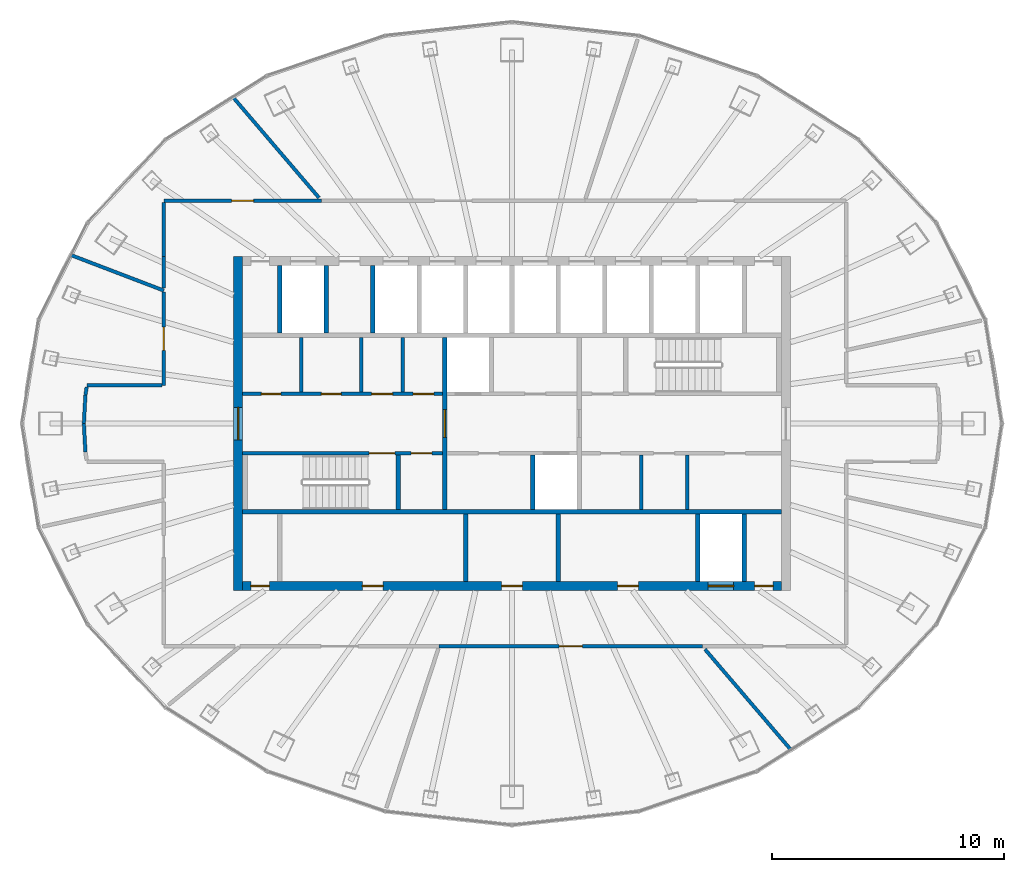
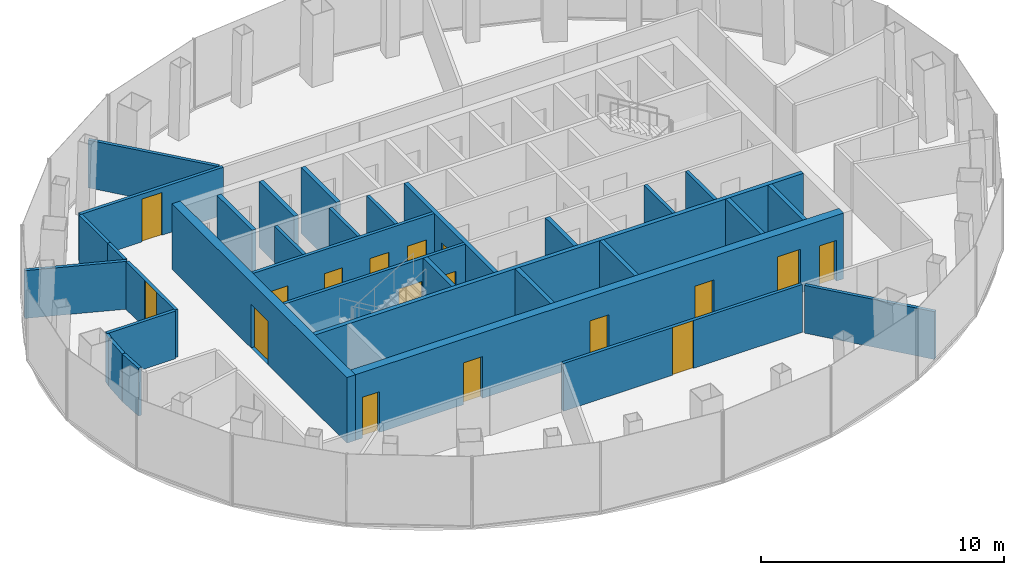
# One storey, part 8 of 11: 32 walls, 17 doors, 17 openings.
"""IFC4 building model written with IfcOpenShell, lengths in metres."""

from ifc_helpers import new_model, si_unit, direction, frame, frame_2d, origin, place, context, subcontext, project, spatial, rectangle, extrude, material, layer, layer_set, type_object, element, fill, save


model = new_model("IFC4")

# Units and contexts
model_context = context("Model", 3, precision=1e-05, world=origin(), true_north=direction((0.0, 1.0)))
body_context = subcontext(model_context, "Body", "Model", "MODEL_VIEW")
ifc_project = project(units=[si_unit("LENGTHUNIT", "METRE"), si_unit("AREAUNIT", "SQUARE_METRE"), si_unit("VOLUMEUNIT", "CUBIC_METRE"), si_unit("PLANEANGLEUNIT", "RADIAN"), si_unit("MASSUNIT", "GRAM", prefix="KILO")], contexts=[model_context])

# Site, building, storey
site_placement = place(None, origin())
site = spatial("IfcSite", under=ifc_project, at=site_placement, CompositionType="ELEMENT")
building_placement = place(site_placement, origin())
building = spatial("IfcBuilding", under=site, at=building_placement, Name="Siaravel Broadcast Tower", CompositionType="ELEMENT")
storey_placement = place(building_placement, frame((0.0, 0.0, 246.699951171875)))
storey = spatial("IfcBuildingStorey", under=building, at=storey_placement, Name="L60", CompositionType="ELEMENT", Elevation=246.699951171875)

# Walls
ifc_material_1 = material(Name="Concrete blockwork", Category="masonry")
ifc_layer_1 = layer(ifc_material_1, 0.14990234375)
ifc_layer_set_1 = layer_set([ifc_layer_1], Name="Concrete blockwork")
wall_type_1 = type_object("IfcWallType", Name="Core partition 150", PredefinedType="PARTITIONING", material=ifc_layer_set_1)
for number, where, z_axis, x_axis, name in (
    (1, (-9.080078125, 1.35009765625, 0.0), (0.0, 0.0, 1.0), (0.0, 1.0, 0.0), "L60 core partition PNW0"),
    (2, (-6.485107421875, 1.35009765625, 0.0), (0.0, 0.0, 1.0), (0.0, 1.0, 0.0), "L60 core partition PNW1"),
    (3, (-4.705078125, 1.35009765625, 0.0), (0.0, 0.0, 1.0), (0.0, 1.0, 0.0), "L60 core partition PNW2"),
    (4, (5.56494140625, -3.699951171875, 0.0), (0.0, 0.0, 1.0), (0.0, 1.0, 0.0), "L60 core partition PSE0"),
    (5, (7.541015625, -3.699951171875, 0.0), (0.0, 0.0, 1.0), (0.0, 1.0, 0.0), "L60 core partition PSE1"),
):
    element("IfcWall", number, at=place(storey_placement, frame(where, z_axis=z_axis, x_axis=x_axis)), inside=storey, type_object=wall_type_1, Name=name, PredefinedType="PARTITIONING", context=body_context, shape_type="SweptSolid", body=[
        extrude(rectangle(XDim=2.349853515625, YDim=0.14990234375, at=frame_2d((1.1748046875, 0.0))), origin(), (0.0, 0.0, 1.0), 3.300048828125),
    ])
ifc_layer_2 = layer(ifc_material_1, 0.199951171875)
ifc_layer_set_2 = layer_set([ifc_layer_2], Name="Concrete blockwork")
wall_type_2 = type_object("IfcWallType", Name="Core partition 200", PredefinedType="PARTITIONING", material=ifc_layer_set_2)
for number, where, z_axis, x_axis, name in (
    (6, (-2.0, -6.800048828125, 0.0), (0.0, 0.0, 1.0), (0.0, 1.0, 0.0), "L60 core partition PFS0"),
    (7, (2.0, -6.800048828125, 0.0), (0.0, 0.0, 1.0), (0.0, 1.0, 0.0), "L60 core partition PFS4"),
):
    element("IfcWall", number, at=place(storey_placement, frame(where, z_axis=z_axis, x_axis=x_axis)), inside=storey, type_object=wall_type_2, Name=name, PredefinedType="PARTITIONING", context=body_context, shape_type="SweptSolid", body=[
        extrude(rectangle(XDim=2.900146484375, YDim=0.199951171875, at=frame_2d((1.4501953125, 0.0))), origin(), (0.0, 0.0, 1.0), 3.300048828125),
    ])

# Wall, opening, door
ifc_material_2 = material(Name="Concrete C60/75", Category="concrete")
ifc_layer_3 = layer(ifc_material_2, 0.39990234375)
ifc_layer_set_3 = layer_set([ifc_layer_3], Name="Concrete C60/75")
wall_type_3 = type_object("IfcWallType", Name="Core wall 400", PredefinedType="SHEAR", material=ifc_layer_set_3)
wall_1_placement = place(storey_placement, frame((-11.800048828125, -7.199951171875, 0.0), z_axis=(0.0, 0.0, 1.0), x_axis=(0.0, 1.0, 0.0)))
wall_1 = element("IfcWall", 8, at=wall_1_placement, inside=storey, type_object=wall_type_3, Name="L60 core wall OW", PredefinedType="SHEAR", context=body_context, shape_type="SweptSolid", body=[
    extrude(rectangle(XDim=14.39990234375, YDim=0.39990234375, at=frame_2d((7.199951171875, 0.0))), origin(), (0.0, 0.0, 1.0), 3.300048828125),
])
opening_1_placement = place(wall_1_placement, frame((6.5, 0.0, 0.0)))
opening_1 = element("IfcOpeningElement", 9, at=opening_1_placement, cuts=wall_1, Name="Opening L60-DX-W", PredefinedType="OPENING", context=body_context, shape_type="SweptSolid", body=[
    extrude(rectangle(XDim=1.39990234375, YDim=2.199951171875, at=frame_2d((0.699951171875, 1.10009765625))), frame((0.0, 0.2099609375, 0.0), z_axis=(0.0, -1.0, 0.0), x_axis=(1.0, 0.0, 0.0)), (0.0, 0.0, 1.0), 0.419921875),
])
ifc_material_3 = material(Name="Steel", Category="steel")
door_type_1 = type_object("IfcDoorType", Name="Core exit door 1400", OperationType="DOUBLE_DOOR_SINGLE_SWING", PredefinedType="DOOR", material=ifc_material_3)
door_1_placement = place(opening_1_placement, origin())
door_1 = element("IfcDoor", 10, at=door_1_placement, inside=storey, type_object=door_type_1, Name="L60 door DX-W", OperationType="DOUBLE_DOOR_SINGLE_SWING", OverallHeight=2.199951171875, OverallWidth=1.39990234375, PredefinedType="DOOR", context=body_context, shape_type="SweptSolid", body=[
    extrude(rectangle(XDim=1.39990234375, YDim=2.199951171875, at=frame_2d((0.699951171875, 1.10009765625))), frame((0.0, 0.02490234375, 0.0), z_axis=(0.0, -1.0, 0.0), x_axis=(1.0, 0.0, 0.0)), (0.0, 0.0, 1.0), 0.050048828125),
])
fill(opening_1, door_1)

# Wall, openings, doors
wall_2_placement = place(storey_placement, frame((-11.60009765625, -7.0, 0.0), z_axis=(0.0, 0.0, 1.0), x_axis=(1.0, 0.0, 0.0)))
wall_2 = element("IfcWall", 11, at=wall_2_placement, inside=storey, type_object=wall_type_3, Name="L60 core wall OS", PredefinedType="SHEAR", context=body_context, shape_type="SweptSolid", body=[
    extrude(rectangle(XDim=23.2001953125, YDim=0.39990234375, at=frame_2d((11.60009765625, 0.0))), origin(), (0.0, 0.0, 1.0), 3.300048828125),
])
opening_2_placement = place(wall_2_placement, frame((20.050048828125, 0.0, 0.0)))
opening_2 = element("IfcOpeningElement", 12, at=opening_2_placement, cuts=wall_2, Name="Opening LD-SV1-L60", PredefinedType="OPENING", context=body_context, shape_type="SweptSolid", body=[
    extrude(rectangle(XDim=1.10009765625, YDim=2.199951171875, at=frame_2d((0.550048828125, 1.10009765625))), frame((0.0, 0.2099609375, 0.0), z_axis=(0.0, -1.0, 0.0), x_axis=(1.0, 0.0, 0.0)), (0.0, 0.0, 1.0), 0.419921875),
])
opening_3_placement = place(wall_2_placement, frame((5.14990234375, 0.0, 0.0)))
opening_3 = element("IfcOpeningElement", 13, at=opening_3_placement, cuts=wall_2, Name="Opening L60-DFS0", PredefinedType="OPENING", context=body_context, shape_type="SweptSolid", body=[
    extrude(rectangle(XDim=0.89990234375, YDim=2.10009765625, at=frame_2d((0.449951171875, 1.050048828125))), frame((0.0, 0.2099609375, 0.0), z_axis=(0.0, -1.0, 0.0), x_axis=(1.0, 0.0, 0.0)), (0.0, 0.0, 1.0), 0.419921875),
])
opening_4_placement = place(wall_2_placement, frame((11.14990234375, 0.0, 0.0)))
opening_4 = element("IfcOpeningElement", 14, at=opening_4_placement, cuts=wall_2, Name="Opening L60-DFS4", PredefinedType="OPENING", context=body_context, shape_type="SweptSolid", body=[
    extrude(rectangle(XDim=0.89990234375, YDim=2.10009765625, at=frame_2d((0.449951171875, 1.050048828125))), frame((0.0, 0.2099609375, 0.0), z_axis=(0.0, -1.0, 0.0), x_axis=(1.0, 0.0, 0.0)), (0.0, 0.0, 1.0), 0.419921875),
])
opening_5_placement = place(wall_2_placement, frame((16.14990234375, 0.0, 0.0)))
opening_5 = element("IfcOpeningElement", 15, at=opening_5_placement, cuts=wall_2, Name="Opening L60-DFS6", PredefinedType="OPENING", context=body_context, shape_type="SweptSolid", body=[
    extrude(rectangle(XDim=0.89990234375, YDim=2.10009765625, at=frame_2d((0.449951171875, 1.050048828125))), frame((0.0, 0.2099609375, 0.0), z_axis=(0.0, -1.0, 0.0), x_axis=(1.0, 0.0, 0.0)), (0.0, 0.0, 1.0), 0.419921875),
])
opening_6_placement = place(wall_2_placement, frame((0.35009765625, 0.0, 0.0)))
opening_6 = element("IfcOpeningElement", 16, at=opening_6_placement, cuts=wall_2, Name="Opening L60-DRSW", PredefinedType="OPENING", context=body_context, shape_type="SweptSolid", body=[
    extrude(rectangle(XDim=0.800048828125, YDim=2.050048828125, at=frame_2d((0.39990234375, 1.02490234375))), frame((0.0, 0.2099609375, 0.0), z_axis=(0.0, -1.0, 0.0), x_axis=(1.0, 0.0, 0.0)), (0.0, 0.0, 1.0), 0.419921875),
])
opening_7_placement = place(wall_2_placement, frame((22.050048828125, 0.0, 0.0)))
opening_7 = element("IfcOpeningElement", 17, at=opening_7_placement, cuts=wall_2, Name="Opening L60-DRSE", PredefinedType="OPENING", context=body_context, shape_type="SweptSolid", body=[
    extrude(rectangle(XDim=0.800048828125, YDim=2.050048828125, at=frame_2d((0.39990234375, 1.02490234375))), frame((0.0, 0.2099609375, 0.0), z_axis=(0.0, -1.0, 0.0), x_axis=(1.0, 0.0, 0.0)), (0.0, 0.0, 1.0), 0.419921875),
])
ifc_material_4 = material(Name="Timber veneer", Category="wood")
door_type_2 = type_object("IfcDoorType", Name="Core room door 900", OperationType="SINGLE_SWING_LEFT", PredefinedType="DOOR", material=ifc_material_4)
door_2_placement = place(opening_3_placement, origin())
door_2 = element("IfcDoor", 18, at=door_2_placement, inside=storey, type_object=door_type_2, Name="L60 door DFS0", OperationType="SINGLE_SWING_LEFT", OverallHeight=2.10009765625, OverallWidth=0.89990234375, PredefinedType="DOOR", context=body_context, shape_type="SweptSolid", body=[
    extrude(rectangle(XDim=0.89990234375, YDim=2.10009765625, at=frame_2d((0.449951171875, 1.050048828125))), frame((0.0, 0.02490234375, 0.0), z_axis=(0.0, -1.0, 0.0), x_axis=(1.0, 0.0, 0.0)), (0.0, 0.0, 1.0), 0.050048828125),
])
fill(opening_3, door_2)
door_3_placement = place(opening_4_placement, origin())
door_3 = element("IfcDoor", 19, at=door_3_placement, inside=storey, type_object=door_type_2, Name="L60 door DFS4", OperationType="SINGLE_SWING_LEFT", OverallHeight=2.10009765625, OverallWidth=0.89990234375, PredefinedType="DOOR", context=body_context, shape_type="SweptSolid", body=[
    extrude(rectangle(XDim=0.89990234375, YDim=2.10009765625, at=frame_2d((0.449951171875, 1.050048828125))), frame((0.0, 0.02490234375, 0.0), z_axis=(0.0, -1.0, 0.0), x_axis=(1.0, 0.0, 0.0)), (0.0, 0.0, 1.0), 0.050048828125),
])
fill(opening_4, door_3)
door_4_placement = place(opening_5_placement, origin())
door_4 = element("IfcDoor", 20, at=door_4_placement, inside=storey, type_object=door_type_2, Name="L60 door DFS6", OperationType="SINGLE_SWING_LEFT", OverallHeight=2.10009765625, OverallWidth=0.89990234375, PredefinedType="DOOR", context=body_context, shape_type="SweptSolid", body=[
    extrude(rectangle(XDim=0.89990234375, YDim=2.10009765625, at=frame_2d((0.449951171875, 1.050048828125))), frame((0.0, 0.02490234375, 0.0), z_axis=(0.0, -1.0, 0.0), x_axis=(1.0, 0.0, 0.0)), (0.0, 0.0, 1.0), 0.050048828125),
])
fill(opening_5, door_4)
door_type_3 = type_object("IfcDoorType", Name="Riser door 800", OperationType="SINGLE_SWING_LEFT", PredefinedType="DOOR", material=ifc_material_3)
door_5_placement = place(opening_6_placement, origin())
door_5 = element("IfcDoor", 21, at=door_5_placement, inside=storey, type_object=door_type_3, Name="L60 door DRSW", OperationType="SINGLE_SWING_LEFT", OverallHeight=2.050048828125, OverallWidth=0.800048828125, PredefinedType="DOOR", context=body_context, shape_type="SweptSolid", body=[
    extrude(rectangle(XDim=0.800048828125, YDim=2.050048828125, at=frame_2d((0.39990234375, 1.02490234375))), frame((0.0, 0.02490234375, 0.0), z_axis=(0.0, -1.0, 0.0), x_axis=(1.0, 0.0, 0.0)), (0.0, 0.0, 1.0), 0.050048828125),
])
fill(opening_6, door_5)
door_6_placement = place(opening_7_placement, origin())
door_6 = element("IfcDoor", 22, at=door_6_placement, inside=storey, type_object=door_type_3, Name="L60 door DRSE", OperationType="SINGLE_SWING_LEFT", OverallHeight=2.050048828125, OverallWidth=0.800048828125, PredefinedType="DOOR", context=body_context, shape_type="SweptSolid", body=[
    extrude(rectangle(XDim=0.800048828125, YDim=2.050048828125, at=frame_2d((0.39990234375, 1.02490234375))), frame((0.0, 0.02490234375, 0.0), z_axis=(0.0, -1.0, 0.0), x_axis=(1.0, 0.0, 0.0)), (0.0, 0.0, 1.0), 0.050048828125),
])
fill(opening_7, door_6)
ifc_material_5 = material(Name="Stainless steel 316L", Category="steel")
door_type_4 = type_object("IfcDoorType", Name="Service lift landing door 1100", OperationType="DOUBLE_DOOR_SLIDING", PredefinedType="DOOR", material=ifc_material_5)
door_7_placement = place(opening_2_placement, origin())
door_7 = element("IfcDoor", 23, at=door_7_placement, inside=storey, type_object=door_type_4, Name="Landing door SV1 L60", OperationType="DOUBLE_DOOR_SLIDING", OverallHeight=2.199951171875, OverallWidth=1.10009765625, PredefinedType="DOOR", context=body_context, shape_type="SweptSolid", body=[
    extrude(rectangle(XDim=1.10009765625, YDim=2.199951171875, at=frame_2d((0.550048828125, 1.10009765625))), frame((0.0, 0.02490234375, 0.0), z_axis=(0.0, -1.0, 0.0), x_axis=(1.0, 0.0, 0.0)), (0.0, 0.0, 1.0), 0.050048828125),
])
fill(opening_2, door_7)

ifc_material_6 = material(Name="Gypsum board partition", Category="gypsum")
ifc_layer_4 = layer(ifc_material_6, 0.14990234375)
ifc_layer_set_4 = layer_set([ifc_layer_4], Name="Gypsum board partition")
wall_type_4 = type_object("IfcWallType", Name="Corridor wall 150", PredefinedType="PARTITIONING", material=ifc_layer_set_4)
wall_3_placement = place(storey_placement, frame((-11.60009765625, 1.27490234375, 0.0), z_axis=(0.0, 0.0, 1.0), x_axis=(1.0, 0.0, 0.0)))
wall_3 = element("IfcWall", 24, at=wall_3_placement, inside=storey, type_object=wall_type_4, Name="L60 core partition CNW", PredefinedType="PARTITIONING", context=body_context, shape_type="SweptSolid", body=[
    extrude(rectangle(XDim=8.60009765625, YDim=0.14990234375, at=frame_2d((4.300048828125, 0.0))), origin(), (0.0, 0.0, 1.0), 3.300048828125),
])
opening_8_placement = place(wall_3_placement, frame((0.797607421875, 0.0, 0.0)))
opening_8 = element("IfcOpeningElement", 25, at=opening_8_placement, cuts=wall_3, Name="Opening L60-DNW0", PredefinedType="OPENING", context=body_context, shape_type="SweptSolid", body=[
    extrude(rectangle(XDim=0.85009765625, YDim=2.10009765625, at=frame_2d((0.425048828125, 1.050048828125))), frame((0.0, 0.0849609375, 0.0), z_axis=(0.0, -1.0, 0.0), x_axis=(1.0, 0.0, 0.0)), (0.0, 0.0, 1.0), 0.169921875),
])
opening_9_placement = place(wall_3_placement, frame((3.392578125, 0.0, 0.0)))
opening_9 = element("IfcOpeningElement", 26, at=opening_9_placement, cuts=wall_3, Name="Opening L60-DNW1", PredefinedType="OPENING", context=body_context, shape_type="SweptSolid", body=[
    extrude(rectangle(XDim=0.85009765625, YDim=2.10009765625, at=frame_2d((0.425048828125, 1.050048828125))), frame((0.0, 0.0849609375, 0.0), z_axis=(0.0, -1.0, 0.0), x_axis=(1.0, 0.0, 0.0)), (0.0, 0.0, 1.0), 0.169921875),
])
opening_10_placement = place(wall_3_placement, frame((5.554931640625, 0.0, 0.0)))
opening_10 = element("IfcOpeningElement", 27, at=opening_10_placement, cuts=wall_3, Name="Opening L60-DNW2", PredefinedType="OPENING", context=body_context, shape_type="SweptSolid", body=[
    extrude(rectangle(XDim=0.89990234375, YDim=2.10009765625, at=frame_2d((0.449951171875, 1.050048828125))), frame((0.0, 0.0849609375, 0.0), z_axis=(0.0, -1.0, 0.0), x_axis=(1.0, 0.0, 0.0)), (0.0, 0.0, 1.0), 0.169921875),
])
opening_11_placement = place(wall_3_placement, frame((7.3349609375, 0.0, 0.0)))
opening_11 = element("IfcOpeningElement", 28, at=opening_11_placement, cuts=wall_3, Name="Opening L60-DNW3", PredefinedType="OPENING", context=body_context, shape_type="SweptSolid", body=[
    extrude(rectangle(XDim=0.89990234375, YDim=2.10009765625, at=frame_2d((0.449951171875, 1.050048828125))), frame((0.0, 0.0849609375, 0.0), z_axis=(0.0, -1.0, 0.0), x_axis=(1.0, 0.0, 0.0)), (0.0, 0.0, 1.0), 0.169921875),
])
door_8_placement = place(opening_10_placement, origin())
door_8 = element("IfcDoor", 29, at=door_8_placement, inside=storey, type_object=door_type_2, Name="L60 door DNW2", OperationType="SINGLE_SWING_LEFT", OverallHeight=2.10009765625, OverallWidth=0.89990234375, PredefinedType="DOOR", context=body_context, shape_type="SweptSolid", body=[
    extrude(rectangle(XDim=0.89990234375, YDim=2.10009765625, at=frame_2d((0.449951171875, 1.050048828125))), frame((0.0, 0.02490234375, 0.0), z_axis=(0.0, -1.0, 0.0), x_axis=(1.0, 0.0, 0.0)), (0.0, 0.0, 1.0), 0.050048828125),
])
fill(opening_10, door_8)
door_9_placement = place(opening_11_placement, origin())
door_9 = element("IfcDoor", 30, at=door_9_placement, inside=storey, type_object=door_type_2, Name="L60 door DNW3", OperationType="SINGLE_SWING_LEFT", OverallHeight=2.10009765625, OverallWidth=0.89990234375, PredefinedType="DOOR", context=body_context, shape_type="SweptSolid", body=[
    extrude(rectangle(XDim=0.89990234375, YDim=2.10009765625, at=frame_2d((0.449951171875, 1.050048828125))), frame((0.0, 0.02490234375, 0.0), z_axis=(0.0, -1.0, 0.0), x_axis=(1.0, 0.0, 0.0)), (0.0, 0.0, 1.0), 0.050048828125),
])
fill(opening_11, door_9)
door_type_5 = type_object("IfcDoorType", Name="Core toilet door 850", OperationType="SINGLE_SWING_LEFT", PredefinedType="DOOR", material=ifc_material_4)
door_10_placement = place(opening_8_placement, origin())
door_10 = element("IfcDoor", 31, at=door_10_placement, inside=storey, type_object=door_type_5, Name="L60 door DNW0", OperationType="SINGLE_SWING_LEFT", OverallHeight=2.10009765625, OverallWidth=0.85009765625, PredefinedType="DOOR", context=body_context, shape_type="SweptSolid", body=[
    extrude(rectangle(XDim=0.85009765625, YDim=2.10009765625, at=frame_2d((0.425048828125, 1.050048828125))), frame((0.0, 0.02490234375, 0.0), z_axis=(0.0, -1.0, 0.0), x_axis=(1.0, 0.0, 0.0)), (0.0, 0.0, 1.0), 0.050048828125),
])
fill(opening_8, door_10)
door_11_placement = place(opening_9_placement, origin())
door_11 = element("IfcDoor", 32, at=door_11_placement, inside=storey, type_object=door_type_5, Name="L60 door DNW1", OperationType="SINGLE_SWING_LEFT", OverallHeight=2.10009765625, OverallWidth=0.85009765625, PredefinedType="DOOR", context=body_context, shape_type="SweptSolid", body=[
    extrude(rectangle(XDim=0.85009765625, YDim=2.10009765625, at=frame_2d((0.425048828125, 1.050048828125))), frame((0.0, 0.02490234375, 0.0), z_axis=(0.0, -1.0, 0.0), x_axis=(1.0, 0.0, 0.0)), (0.0, 0.0, 1.0), 0.050048828125),
])
fill(opening_9, door_11)

# Wall, opening, door
wall_4_placement = place(storey_placement, frame((-3.140380859375, -9.60009765625, 0.0), z_axis=(0.0, 0.0, 1.0), x_axis=(1.0, 0.0, 0.0)))
wall_4 = element("IfcWall", 33, at=wall_4_placement, inside=storey, type_object=wall_type_4, Name="L60 partition 1", PredefinedType="PARTITIONING", context=body_context, shape_type="SweptSolid", body=[
    extrude(rectangle(XDim=11.346923828125, YDim=0.14990234375, at=frame_2d((5.67333984375, 0.0))), origin(), (0.0, 0.0, 1.0), 2.400146484375),
])
opening_12_placement = place(wall_4_placement, frame((5.17333984375, 0.0, 0.0)))
opening_12 = element("IfcOpeningElement", 34, at=opening_12_placement, cuts=wall_4, Name="Opening L60-004", PredefinedType="OPENING", context=body_context, shape_type="SweptSolid", body=[
    extrude(rectangle(XDim=1.0, YDim=2.39990234375, at=frame_2d((0.5, 1.199951171875))), frame((0.0, 0.0849609375, 0.0), z_axis=(0.0, -1.0, 0.0), x_axis=(1.0, 0.0, 0.0)), (0.0, 0.0, 1.0), 0.169921875),
])
door_type_6 = type_object("IfcDoorType", Name="Executive office door 1000", OperationType="SINGLE_SWING_LEFT", PredefinedType="DOOR", material=ifc_material_4)
door_12_placement = place(opening_12_placement, origin())
door_12 = element("IfcDoor", 35, at=door_12_placement, inside=storey, type_object=door_type_6, Name="L60 door to Executive office", OperationType="SINGLE_SWING_RIGHT", OverallHeight=2.39990234375, OverallWidth=1.0, PredefinedType="DOOR", context=body_context, shape_type="SweptSolid", body=[
    extrude(rectangle(XDim=1.0, YDim=2.39990234375, at=frame_2d((0.5, 1.199951171875))), frame((0.0, 0.02490234375, 0.0), z_axis=(0.0, -1.0, 0.0), x_axis=(1.0, 0.0, 0.0)), (0.0, 0.0, 1.0), 0.050048828125),
])
fill(opening_12, door_12)

wall_5_placement = place(storey_placement, frame((-8.20654296875, 9.60009765625, 0.0), z_axis=(0.0, 0.0, 1.0), x_axis=(-1.0, 0.0, 0.0)))
wall_5 = element("IfcWall", 36, at=wall_5_placement, inside=storey, type_object=wall_type_4, Name="L60 partition 7", PredefinedType="PARTITIONING", context=body_context, shape_type="SweptSolid", body=[
    extrude(rectangle(XDim=6.79345703125, YDim=0.14990234375, at=frame_2d((3.396728515625, 0.0))), origin(), (0.0, 0.0, 1.0), 2.400146484375),
])
opening_13_placement = place(wall_5_placement, frame((2.921875, 0.0, 0.0)))
opening_13 = element("IfcOpeningElement", 37, at=opening_13_placement, cuts=wall_5, Name="Opening L60-009", PredefinedType="OPENING", context=body_context, shape_type="SweptSolid", body=[
    extrude(rectangle(XDim=0.949951171875, YDim=2.14990234375, at=frame_2d((0.47509765625, 1.074951171875))), frame((0.0, 0.0849609375, 0.0), z_axis=(0.0, -1.0, 0.0), x_axis=(1.0, 0.0, 0.0)), (0.0, 0.0, 1.0), 0.169921875),
])
door_type_7 = type_object("IfcDoorType", Name="Office door 950", OperationType="SINGLE_SWING_LEFT", PredefinedType="DOOR", material=ifc_material_4)
door_13_placement = place(opening_13_placement, origin())
door_13 = element("IfcDoor", 38, at=door_13_placement, inside=storey, type_object=door_type_7, Name="L60 door to Reception", OperationType="SINGLE_SWING_LEFT", OverallHeight=2.14990234375, OverallWidth=0.949951171875, PredefinedType="DOOR", context=body_context, shape_type="SweptSolid", body=[
    extrude(rectangle(XDim=0.949951171875, YDim=2.14990234375, at=frame_2d((0.47509765625, 1.074951171875))), frame((0.0, 0.02490234375, 0.0), z_axis=(0.0, -1.0, 0.0), x_axis=(1.0, 0.0, 0.0)), (0.0, 0.0, 1.0), 0.050048828125),
])
fill(opening_13, door_13)

wall_6_placement = place(storey_placement, frame((-15.0, 5.6572265625, 0.0), z_axis=(0.0, 0.0, 1.0), x_axis=(0.0, -1.0, 0.0)))
wall_6 = element("IfcWall", 39, at=wall_6_placement, inside=storey, type_object=wall_type_4, Name="L60 partition 15", PredefinedType="PARTITIONING", context=body_context, shape_type="SweptSolid", body=[
    extrude(rectangle(XDim=4.00732421875, YDim=0.14990234375, at=frame_2d((2.003662109375, 0.0))), origin(), (0.0, 0.0, 1.0), 2.400146484375),
])
opening_14_placement = place(wall_6_placement, frame((1.503662109375, 0.0, 0.0)))
opening_14 = element("IfcOpeningElement", 40, at=opening_14_placement, cuts=wall_6, Name="Opening L60-001", PredefinedType="OPENING", context=body_context, shape_type="SweptSolid", body=[
    extrude(rectangle(XDim=1.0, YDim=2.39990234375, at=frame_2d((0.5, 1.199951171875))), frame((0.0, 0.0849609375, 0.0), z_axis=(0.0, -1.0, 0.0), x_axis=(1.0, 0.0, 0.0)), (0.0, 0.0, 1.0), 0.169921875),
])
door_14_placement = place(opening_14_placement, origin())
door_14 = element("IfcDoor", 41, at=door_14_placement, inside=storey, type_object=door_type_6, Name="L60 door to Executive office", OperationType="SINGLE_SWING_LEFT", OverallHeight=2.39990234375, OverallWidth=1.0, PredefinedType="DOOR", context=body_context, shape_type="SweptSolid", body=[
    extrude(rectangle(XDim=1.0, YDim=2.39990234375, at=frame_2d((0.5, 1.199951171875))), frame((0.0, 0.02490234375, 0.0), z_axis=(0.0, -1.0, 0.0), x_axis=(1.0, 0.0, 0.0)), (0.0, 0.0, 1.0), 0.050048828125),
])
fill(opening_14, door_14)

# Walls
wall_7_placement = place(storey_placement, frame((-15.076904296875, 1.64990234375, 0.0), z_axis=(0.0, 0.0, 1.0), x_axis=(-1.0, 0.0, 0.0)))
element("IfcWall", 42, at=wall_7_placement, inside=storey, type_object=wall_type_4, Name="L60 partition 23", PredefinedType="PARTITIONING", context=body_context, shape_type="SweptSolid", body=[
    extrude(rectangle(XDim=3.23388671875, YDim=0.14990234375, at=frame_2d((1.616943359375, 0.0))), origin(), (0.0, 0.0, 1.0), 2.400146484375),
])
wall_8_placement = place(storey_placement, frame((-15.0, 9.52294921875, 0.0), z_axis=(0.0, 0.0, 1.0), x_axis=(0.0, -1.0, 0.0)))
element("IfcWall", 43, at=wall_8_placement, inside=storey, type_object=wall_type_4, Name="L60 partition 26", PredefinedType="PARTITIONING", context=body_context, shape_type="SweptSolid", body=[
    extrude(rectangle(XDim=2.3349609375, YDim=0.14990234375, at=frame_2d((1.16748046875, 0.0))), origin(), (0.0, 0.0, 1.0), 2.400146484375),
])
wall_9_placement = place(storey_placement, frame((-15.0, 7.18701171875, 0.0), z_axis=(0.0, 0.0, 1.0), x_axis=(0.0, -1.0, 0.0)))
element("IfcWall", 44, at=wall_9_placement, inside=storey, type_object=wall_type_4, Name="L60 partition 32", PredefinedType="PARTITIONING", context=body_context, shape_type="SweptSolid", body=[
    extrude(rectangle(XDim=1.3466796875, YDim=0.14990234375, at=frame_2d((0.67333984375, 0.0))), origin(), (0.0, 0.0, 1.0), 2.400146484375),
])
wall_10_placement = place(storey_placement, frame((-18.4443359375, 0.0, 0.0), z_axis=(0.0, 0.0, 1.0), x_axis=(0.053310538, -0.998577982, 0.0)))
element("IfcWall", 45, at=wall_10_placement, inside=storey, type_object=wall_type_4, Name="L60 partition 33", PredefinedType="PARTITIONING", context=body_context, shape_type="SweptSolid", body=[
    extrude(rectangle(XDim=1.227294921875, YDim=0.14990234375, at=frame_2d((0.61376953125, 0.0))), origin(), (0.0, 0.0, 1.0), 2.400146484375),
])
wall_11_placement = place(storey_placement, frame((-18.37890625, 1.2255859375, 0.0), z_axis=(0.0, 0.0, 1.0), x_axis=(-0.053148314, -0.99858663, 0.0)))
element("IfcWall", 46, at=wall_11_placement, inside=storey, type_object=wall_type_4, Name="L60 partition 34", PredefinedType="PARTITIONING", context=body_context, shape_type="SweptSolid", body=[
    extrude(rectangle(XDim=1.21728515625, YDim=0.14990234375, at=frame_2d((0.608642578125, 0.0))), origin(), (0.0, 0.0, 1.0), 2.400146484375),
])
wall_12_placement = place(storey_placement, frame((-18.32275390625, 1.574951171875, 0.0), z_axis=(0.0, 0.0, 1.0), x_axis=(-0.158406053, -0.987374054, 0.0)))
element("IfcWall", 47, at=wall_12_placement, inside=storey, type_object=wall_type_4, Name="L60 partition 38", PredefinedType="PARTITIONING", context=body_context, shape_type="SweptSolid", body=[
    extrude(rectangle(XDim=0.34375, YDim=0.14990234375, at=frame_2d((0.171875, 0.0))), origin(), (0.0, 0.0, 1.0), 2.400146484375),
])
ifc_layer_5 = layer(ifc_material_6, 0.14990234375)
ifc_layer_set_5 = layer_set([ifc_layer_5], Name="Gypsum board partition")
wall_type_5 = type_object("IfcWallType", Name="Room partition 150", PredefinedType="PARTITIONING", material=ifc_layer_set_5)
wall_13_placement = place(storey_placement, frame((12.005126953125, -14.0439453125, 0.0), z_axis=(0.0, 0.0, 1.0), x_axis=(-0.649775142, 0.760126479, 0.0)))
element("IfcWall", 48, at=wall_13_placement, inside=storey, type_object=wall_type_5, Name="L60 partition 11", PredefinedType="PARTITIONING", context=body_context, shape_type="SweptSolid", body=[
    extrude(rectangle(XDim=5.681396484375, YDim=0.14990234375, at=frame_2d((2.8408203125, 0.0))), origin(), (0.0, 0.0, 1.0), 2.400146484375),
])
wall_14_placement = place(storey_placement, frame((-12.00390625, 14.04248046875, 0.0), z_axis=(0.0, 0.0, 1.0), x_axis=(0.649778345, -0.760123741, 0.0)))
element("IfcWall", 49, at=wall_14_placement, inside=storey, type_object=wall_type_5, Name="L60 partition 12", PredefinedType="PARTITIONING", context=body_context, shape_type="SweptSolid", body=[
    extrude(rectangle(XDim=5.679443359375, YDim=0.14990234375, at=frame_2d((2.83984375, 0.0))), origin(), (0.0, 0.0, 1.0), 2.400146484375),
])
wall_15_placement = place(storey_placement, frame((-15.0, 5.7294921875, 0.0), z_axis=(0.0, 0.0, 1.0), x_axis=(-0.934173237, 0.35681979, 0.0)))
element("IfcWall", 50, at=wall_15_placement, inside=storey, type_object=wall_type_5, Name="L60 partition 14", PredefinedType="PARTITIONING", context=body_context, shape_type="SweptSolid", body=[
    extrude(rectangle(XDim=4.260009765625, YDim=0.14990234375, at=frame_2d((2.1298828125, 0.0))), origin(), (0.0, 0.0, 1.0), 2.400146484375),
])

# Wall, openings, doors
ifc_layer_6 = layer(ifc_material_2, 0.14990234375)
ifc_layer_set_6 = layer_set([ifc_layer_6], Name="Concrete C60/75")
wall_type_6 = type_object("IfcWallType", Name="Shaft wall 150", PredefinedType="SHEAR", material=ifc_layer_set_6)
wall_16_placement = place(storey_placement, frame((-11.60009765625, -1.27490234375, 0.0), z_axis=(0.0, 0.0, 1.0), x_axis=(1.0, 0.0, 0.0)))
wall_16 = element("IfcWall", 51, at=wall_16_placement, inside=storey, type_object=wall_type_6, Name="L60 core wall CSW", PredefinedType="SHEAR", context=body_context, shape_type="SweptSolid", body=[
    extrude(rectangle(XDim=8.60009765625, YDim=0.14990234375, at=frame_2d((4.300048828125, 0.0))), origin(), (0.0, 0.0, 1.0), 3.300048828125),
])
opening_15_placement = place(wall_16_placement, frame((5.449951171875, 0.0, 0.0)))
opening_15 = element("IfcOpeningElement", 52, at=opening_15_placement, cuts=wall_16, Name="Opening L60-DS-1", PredefinedType="OPENING", context=body_context, shape_type="SweptSolid", body=[
    extrude(rectangle(XDim=1.10009765625, YDim=2.14990234375, at=frame_2d((0.550048828125, 1.074951171875))), frame((0.0, 0.0849609375, 0.0), z_axis=(0.0, -1.0, 0.0), x_axis=(1.0, 0.0, 0.0)), (0.0, 0.0, 1.0), 0.169921875),
])
opening_16_placement = place(wall_16_placement, frame((7.25, 0.0, 0.0)))
opening_16 = element("IfcOpeningElement", 53, at=opening_16_placement, cuts=wall_16, Name="Opening L60-DSW0", PredefinedType="OPENING", context=body_context, shape_type="SweptSolid", body=[
    extrude(rectangle(XDim=0.89990234375, YDim=2.10009765625, at=frame_2d((0.449951171875, 1.050048828125))), frame((0.0, 0.0849609375, 0.0), z_axis=(0.0, -1.0, 0.0), x_axis=(1.0, 0.0, 0.0)), (0.0, 0.0, 1.0), 0.169921875),
])
door_15_placement = place(opening_16_placement, origin())
door_15 = element("IfcDoor", 54, at=door_15_placement, inside=storey, type_object=door_type_2, Name="L60 door DSW0", OperationType="SINGLE_SWING_LEFT", OverallHeight=2.10009765625, OverallWidth=0.89990234375, PredefinedType="DOOR", context=body_context, shape_type="SweptSolid", body=[
    extrude(rectangle(XDim=0.89990234375, YDim=2.10009765625, at=frame_2d((0.449951171875, 1.050048828125))), frame((0.0, 0.02490234375, 0.0), z_axis=(0.0, -1.0, 0.0), x_axis=(1.0, 0.0, 0.0)), (0.0, 0.0, 1.0), 0.050048828125),
])
fill(opening_16, door_15)
door_type_8 = type_object("IfcDoorType", Name="Stair door 1100", OperationType="SINGLE_SWING_LEFT", PredefinedType="DOOR", material=ifc_material_3)
door_16_placement = place(opening_15_placement, origin())
door_16 = element("IfcDoor", 55, at=door_16_placement, inside=storey, type_object=door_type_8, Name="L60 door DS-1", OperationType="SINGLE_SWING_LEFT", OverallHeight=2.14990234375, OverallWidth=1.10009765625, PredefinedType="DOOR", context=body_context, shape_type="SweptSolid", body=[
    extrude(rectangle(XDim=1.10009765625, YDim=2.14990234375, at=frame_2d((0.550048828125, 1.074951171875))), frame((0.0, 0.02490234375, 0.0), z_axis=(0.0, -1.0, 0.0), x_axis=(1.0, 0.0, 0.0)), (0.0, 0.0, 1.0), 0.050048828125),
])
fill(opening_15, door_16)

# Walls
ifc_layer_7 = layer(ifc_material_2, 0.199951171875)
ifc_layer_set_7 = layer_set([ifc_layer_7], Name="Concrete C60/75")
wall_type_7 = type_object("IfcWallType", Name="Shaft wall 200", PredefinedType="SHEAR", material=ifc_layer_set_7)
wall_17_placement = place(storey_placement, frame((-11.60009765625, -3.800048828125, 0.0), z_axis=(0.0, 0.0, 1.0), x_axis=(1.0, 0.0, 0.0)))
element("IfcWall", 56, at=wall_17_placement, inside=storey, type_object=wall_type_7, Name="L60 core wall BS", PredefinedType="SHEAR", context=body_context, shape_type="SweptSolid", body=[
    extrude(rectangle(XDim=23.2001953125, YDim=0.199951171875, at=frame_2d((11.60009765625, 0.0))), origin(), (0.0, 0.0, 1.0), 3.300048828125),
])
for number, where, z_axis, x_axis, name in (
    (57, (8.0, -6.800048828125, 0.0), (0.0, 0.0, 1.0), (0.0, 1.0, 0.0), "L60 core wall SWS9"),
    (58, (10.0, -6.800048828125, 0.0), (0.0, 0.0, 1.0), (0.0, 1.0, 0.0), "L60 core wall SWS10"),
    (59, (-10.0, 3.89990234375, 0.0), (0.0, 0.0, 1.0), (0.0, 1.0, 0.0), "L60 core wall SWN0"),
    (60, (-8.0, 3.89990234375, 0.0), (0.0, 0.0, 1.0), (0.0, 1.0, 0.0), "L60 core wall SWN1"),
    (61, (-6.0, 3.89990234375, 0.0), (0.0, 0.0, 1.0), (0.0, 1.0, 0.0), "L60 core wall SWN2"),
):
    element("IfcWall", number, at=place(storey_placement, frame(where, z_axis=z_axis, x_axis=x_axis)), inside=storey, type_object=wall_type_7, Name=name, PredefinedType="SHEAR", context=body_context, shape_type="SweptSolid", body=[
        extrude(rectangle(XDim=2.900146484375, YDim=0.199951171875, at=frame_2d((1.4501953125, 0.0))), origin(), (0.0, 0.0, 1.0), 3.300048828125),
    ])

# Wall, opening, door
wall_18_placement = place(storey_placement, frame((-2.89990234375, -3.699951171875, 0.0), z_axis=(0.0, 0.0, 1.0), x_axis=(0.0, 1.0, 0.0)))
wall_18 = element("IfcWall", 62, at=wall_18_placement, inside=storey, type_object=wall_type_7, Name="L60 core wall LW", PredefinedType="SHEAR", context=body_context, shape_type="SweptSolid", body=[
    extrude(rectangle(XDim=7.39990234375, YDim=0.199951171875, at=frame_2d((3.699951171875, 0.0))), origin(), (0.0, 0.0, 1.0), 3.300048828125),
])
opening_17_placement = place(wall_18_placement, frame((3.10009765625, 0.0, 0.0)))
opening_17 = element("IfcOpeningElement", 63, at=opening_17_placement, cuts=wall_18, Name="Opening L60-DL-W", PredefinedType="OPENING", context=body_context, shape_type="SweptSolid", body=[
    extrude(rectangle(XDim=1.199951171875, YDim=2.199951171875, at=frame_2d((0.60009765625, 1.10009765625))), frame((0.0, 0.10986328125, 0.0), z_axis=(0.0, -1.0, 0.0), x_axis=(1.0, 0.0, 0.0)), (0.0, 0.0, 1.0), 0.219970703125),
])
door_type_9 = type_object("IfcDoorType", Name="Firefighting lobby door 1200", OperationType="SINGLE_SWING_LEFT", PredefinedType="DOOR", material=ifc_material_3)
door_17_placement = place(opening_17_placement, origin())
door_17 = element("IfcDoor", 64, at=door_17_placement, inside=storey, type_object=door_type_9, Name="L60 door DL-W", OperationType="SINGLE_SWING_LEFT", OverallHeight=2.199951171875, OverallWidth=1.199951171875, PredefinedType="DOOR", context=body_context, shape_type="SweptSolid", body=[
    extrude(rectangle(XDim=1.199951171875, YDim=2.199951171875, at=frame_2d((0.60009765625, 1.10009765625))), frame((0.0, 0.02490234375, 0.0), z_axis=(0.0, -1.0, 0.0), x_axis=(1.0, 0.0, 0.0)), (0.0, 0.0, 1.0), 0.050048828125),
])
fill(opening_17, door_17)

# Walls
for number, where, z_axis, x_axis, name in (
    (65, (0.89990234375, -3.699951171875, 0.0), (0.0, 0.0, 1.0), (0.0, 1.0, 0.0), "L60 core wall FF2W"),
    (66, (-4.89990234375, -3.699951171875, 0.0), (0.0, 0.0, 1.0), (0.0, 1.0, 0.0), "L60 core wall ST1E"),
):
    element("IfcWall", number, at=place(storey_placement, frame(where, z_axis=z_axis, x_axis=x_axis)), inside=storey, type_object=wall_type_7, Name=name, PredefinedType="SHEAR", context=body_context, shape_type="SweptSolid", body=[
        extrude(rectangle(XDim=2.349853515625, YDim=0.199951171875, at=frame_2d((1.1748046875, 0.0))), origin(), (0.0, 0.0, 1.0), 3.300048828125),
    ])

save(model, "model.ifc")
